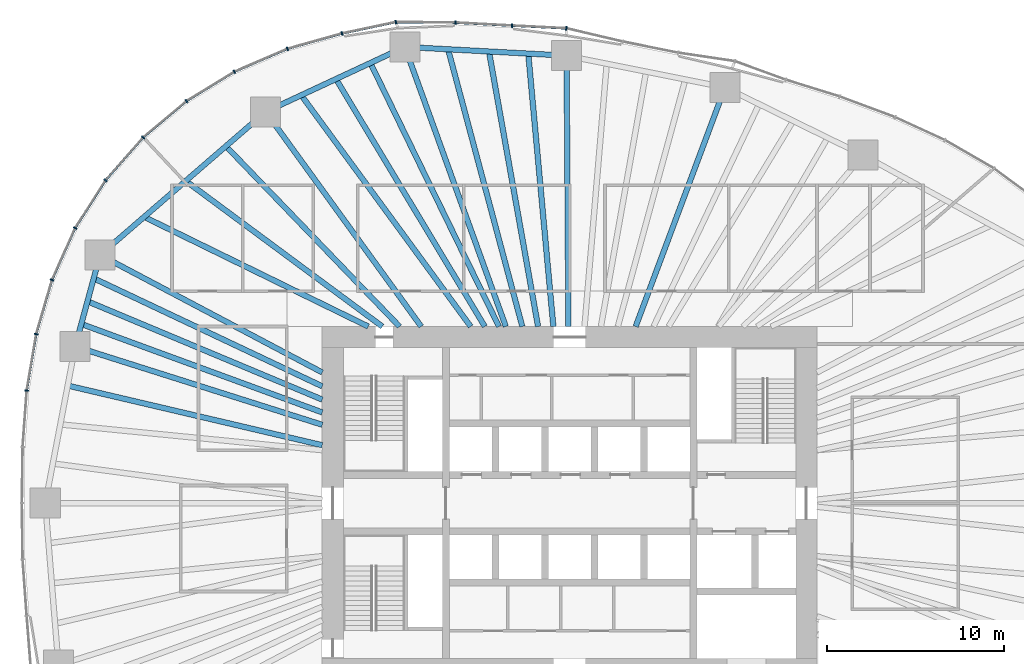
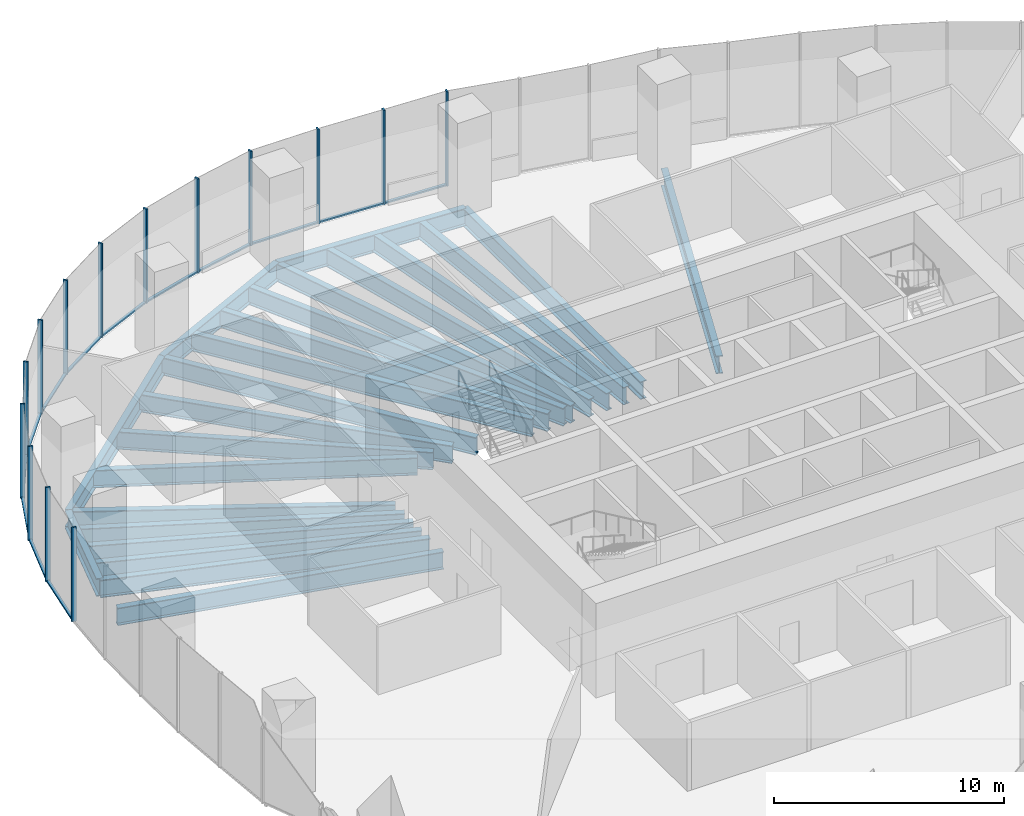
# One storey, part 5 of 19: 27 members, 23 beams, 5 elements without a shape of their own.
"""IFC4 building model written with IfcOpenShell, lengths in metres."""

from ifc_helpers import new_model, si_unit, direction, frame, origin, origin_2d, place, context, subcontext, project, spatial, rectangle, i_section, extrude, material, material_profile, profile_set, type_object, element, aggregate, save


model = new_model("IFC4")

# Units and contexts
model_context = context("Model", 3, precision=1e-05, world=origin(), true_north=direction((0.0, 1.0)))
body_context = subcontext(model_context, "Body", "Model", "MODEL_VIEW")
ifc_project = project(units=[si_unit("LENGTHUNIT", "METRE"), si_unit("AREAUNIT", "SQUARE_METRE"), si_unit("VOLUMEUNIT", "CUBIC_METRE"), si_unit("PLANEANGLEUNIT", "RADIAN"), si_unit("MASSUNIT", "GRAM", prefix="KILO")], contexts=[model_context])

# Site, building, storey
site_placement = place(None, origin())
site = spatial("IfcSite", under=ifc_project, at=site_placement, CompositionType="ELEMENT")
building_placement = place(site_placement, origin())
building = spatial("IfcBuilding", under=site, at=building_placement, Name="Ghaith Harvest Tower", CompositionType="ELEMENT")
storey_placement = place(building_placement, frame((0.0, 0.0, 75.0)))
storey = spatial("IfcBuildingStorey", under=building, at=storey_placement, Name="L15", CompositionType="ELEMENT", Elevation=75.0)

# Curtain wall, members
ifc_material_1 = material(Name="Black anodised aluminium and fritted glass", Category="aluminium")
curtain_wall_type = type_object("IfcCurtainWallType", Name="CW-F CURTAIN WALL", PredefinedType="NOTDEFINED", material=ifc_material_1)
curtain_wall_1_placement = place(storey_placement, origin())
curtain_wall_1 = element("IfcCurtainWall", 1, at=curtain_wall_1_placement, inside=storey, type_object=curtain_wall_type, Name="Curtain wall CW-F bay 06 L15", PredefinedType="NOTDEFINED")
ifc_material_2 = material(Name="Aluminium, black anodised", Category="aluminium")
ifc_material_profile_1 = material_profile(ifc_material_2, rectangle(XDim=0.080078125, YDim=0.219970703125, at=origin_2d()), Name="CW-F MULLION 80x220")
ifc_profile_set_1 = profile_set([ifc_material_profile_1], Name="Aluminium, black anodised")
member_type_1 = type_object("IfcMemberType", Name="CW-F MULLION 80x220", PredefinedType="MULLION", material=ifc_profile_set_1)
member_1_placement = place(storey_placement, frame((-0.183837890625, 26.877197265625, 0.0), z_axis=(0.0, 0.0, 1.0), x_axis=(-0.98971187143, 0.143074845976, 0.0)))
member_1 = element("IfcMember", 2, at=member_1_placement, type_object=member_type_1, Name="CW-F mullion 1 bay 06 L15", PredefinedType="MULLION", context=body_context, shape_type="SweptSolid", body=[
    extrude(rectangle(XDim=0.080078125, YDim=0.219970703125, at=origin_2d()), origin(), (0.0, 0.0, 1.0), 5.0),
])
member_2_placement = place(storey_placement, frame((-3.261962890625, 27.02978515625, 0.0), z_axis=(0.0, 0.0, 1.0), x_axis=(-0.998666923291, 0.051617597049, 0.0)))
member_2 = element("IfcMember", 3, at=member_2_placement, type_object=member_type_1, Name="CW-F mullion 2 bay 06 L15", PredefinedType="MULLION", context=body_context, shape_type="SweptSolid", body=[
    extrude(rectangle(XDim=0.080078125, YDim=0.219970703125, at=origin_2d()), origin(), (0.0, 0.0, 1.0), 5.0),
])
member_3_placement = place(storey_placement, frame((-6.465087890625, 27.20166015625, 0.0), z_axis=(0.0, 0.0, 1.0), x_axis=(-0.999527102163, 0.030750155138, 0.0)))
member_3 = element("IfcMember", 4, at=member_3_placement, type_object=member_type_1, Name="CW-F mullion 3 bay 06 L15", PredefinedType="MULLION", context=body_context, shape_type="SweptSolid", body=[
    extrude(rectangle(XDim=0.080078125, YDim=0.219970703125, at=origin_2d()), origin(), (0.0, 0.0, 1.0), 5.0),
])

curtain_wall_2_placement = place(storey_placement, origin())
curtain_wall_2 = element("IfcCurtainWall", 5, at=curtain_wall_2_placement, inside=storey, type_object=curtain_wall_type, Name="Curtain wall CW-F bay 07 L15", PredefinedType="NOTDEFINED")
member_4_placement = place(storey_placement, frame((-9.835693359375, 27.232177734375, 0.0), z_axis=(0.0, 0.0, 1.0), x_axis=(-0.995408459337, -0.095718332001, 0.0)))
member_4 = element("IfcMember", 6, at=member_4_placement, type_object=member_type_1, Name="CW-F mullion 1 bay 07 L15", PredefinedType="MULLION", context=body_context, shape_type="SweptSolid", body=[
    extrude(rectangle(XDim=0.080078125, YDim=0.219970703125, at=origin_2d()), origin(), (0.0, 0.0, 1.0), 5.0),
])
member_5_placement = place(storey_placement, frame((-12.880615234375, 26.5849609375, 0.0), z_axis=(0.0, 0.0, 1.0), x_axis=(-0.970824511782, -0.239791091, 0.0)))
member_5 = element("IfcMember", 7, at=member_5_placement, type_object=member_type_1, Name="CW-F mullion 2 bay 07 L15", PredefinedType="MULLION", context=body_context, shape_type="SweptSolid", body=[
    extrude(rectangle(XDim=0.080078125, YDim=0.219970703125, at=origin_2d()), origin(), (0.0, 0.0, 1.0), 5.0),
])
member_6_placement = place(storey_placement, frame((-15.97119140625, 25.716552734375, 0.0), z_axis=(0.0, 0.0, 1.0), x_axis=(-0.942293550527, -0.334787790451, 0.0)))
member_6 = element("IfcMember", 8, at=member_6_placement, type_object=member_type_1, Name="CW-F mullion 3 bay 07 L15", PredefinedType="MULLION", context=body_context, shape_type="SweptSolid", body=[
    extrude(rectangle(XDim=0.080078125, YDim=0.219970703125, at=origin_2d()), origin(), (0.0, 0.0, 1.0), 5.0),
])

curtain_wall_3_placement = place(storey_placement, origin())
curtain_wall_3 = element("IfcCurtainWall", 9, at=curtain_wall_3_placement, inside=storey, type_object=curtain_wall_type, Name="Curtain wall CW-F bay 08 L15", PredefinedType="NOTDEFINED")
member_7_placement = place(storey_placement, frame((-18.96728515625, 24.42236328125, 0.0), z_axis=(0.0, 0.0, 1.0), x_axis=(-0.887912253252, -0.460012859086, 0.0)))
member_7 = element("IfcMember", 10, at=member_7_placement, type_object=member_type_1, Name="CW-F mullion 1 bay 08 L15", PredefinedType="MULLION", context=body_context, shape_type="SweptSolid", body=[
    extrude(rectangle(XDim=0.080078125, YDim=0.219970703125, at=origin_2d()), origin(), (0.0, 0.0, 1.0), 5.0),
])
member_8_placement = place(storey_placement, frame((-21.681640625, 22.758056640625, 0.0), z_axis=(0.0, 0.0, 1.0), x_axis=(-0.811400750439, -0.584490224202, 0.0)))
member_8 = element("IfcMember", 11, at=member_8_placement, type_object=member_type_1, Name="CW-F mullion 2 bay 08 L15", PredefinedType="MULLION", context=body_context, shape_type="SweptSolid", body=[
    extrude(rectangle(XDim=0.080078125, YDim=0.219970703125, at=origin_2d()), origin(), (0.0, 0.0, 1.0), 5.0),
])
member_9_placement = place(storey_placement, frame((-24.139404296875, 20.696533203125, 0.0), z_axis=(0.0, 0.0, 1.0), x_axis=(-0.714663248213, -0.699468685256, 0.0)))
member_9 = element("IfcMember", 12, at=member_9_placement, type_object=member_type_1, Name="CW-F mullion 3 bay 08 L15", PredefinedType="MULLION", context=body_context, shape_type="SweptSolid", body=[
    extrude(rectangle(XDim=0.080078125, YDim=0.219970703125, at=origin_2d()), origin(), (0.0, 0.0, 1.0), 5.0),
])

curtain_wall_4_placement = place(storey_placement, origin())
curtain_wall_4 = element("IfcCurtainWall", 13, at=curtain_wall_4_placement, inside=storey, type_object=curtain_wall_type, Name="Curtain wall CW-F bay 09 L15", PredefinedType="NOTDEFINED")
member_10_placement = place(storey_placement, frame((-26.26318359375, 18.274169921875, 0.0), z_axis=(0.0, 0.0, 1.0), x_axis=(-0.599861600644, -0.800103780814, 0.0)))
member_10 = element("IfcMember", 14, at=member_10_placement, type_object=member_type_1, Name="CW-F mullion 1 bay 09 L15", PredefinedType="MULLION", context=body_context, shape_type="SweptSolid", body=[
    extrude(rectangle(XDim=0.080078125, YDim=0.219970703125, at=origin_2d()), origin(), (0.0, 0.0, 1.0), 5.0),
])
member_11_placement = place(storey_placement, frame((-27.986328125, 15.5654296875, 0.0), z_axis=(0.0, 0.0, 1.0), x_axis=(-0.473265082758, -0.880920065297, 0.0)))
member_11 = element("IfcMember", 15, at=member_11_placement, type_object=member_type_1, Name="CW-F mullion 2 bay 09 L15", PredefinedType="MULLION", context=body_context, shape_type="SweptSolid", body=[
    extrude(rectangle(XDim=0.080078125, YDim=0.219970703125, at=origin_2d()), origin(), (0.0, 0.0, 1.0), 5.0),
])
member_12_placement = place(storey_placement, frame((-29.29248046875, 12.63525390625, 0.0), z_axis=(0.0, 0.0, 1.0), x_axis=(-0.344618322502, -0.938742889079, 0.0)))
member_12 = element("IfcMember", 16, at=member_12_placement, type_object=member_type_1, Name="CW-F mullion 3 bay 09 L15", PredefinedType="MULLION", context=body_context, shape_type="SweptSolid", body=[
    extrude(rectangle(XDim=0.080078125, YDim=0.219970703125, at=origin_2d()), origin(), (0.0, 0.0, 1.0), 5.0),
])

curtain_wall_5_placement = place(storey_placement, origin())
curtain_wall_5 = element("IfcCurtainWall", 17, at=curtain_wall_5_placement, inside=storey, type_object=curtain_wall_type, Name="Curtain wall CW-F bay 10 L15", PredefinedType="NOTDEFINED")
member_13_placement = place(storey_placement, frame((-30.1884765625, 9.567138671875, 0.0), z_axis=(0.0, 0.0, 1.0), x_axis=(-0.222967363645, -0.97482590997, 0.0)))
member_13 = element("IfcMember", 18, at=member_13_placement, type_object=member_type_1, Name="CW-F mullion 1 bay 10 L15", PredefinedType="MULLION", context=body_context, shape_type="SweptSolid", body=[
    extrude(rectangle(XDim=0.080078125, YDim=0.219970703125, at=origin_2d()), origin(), (0.0, 0.0, 1.0), 5.0),
])
member_14_placement = place(storey_placement, frame((-30.724365234375, 6.37548828125, 0.0), z_axis=(0.0, 0.0, 1.0), x_axis=(-0.119352816132, -0.99285190501, 0.0)))
member_14 = element("IfcMember", 19, at=member_14_placement, type_object=member_type_1, Name="CW-F mullion 2 bay 10 L15", PredefinedType="MULLION", context=body_context, shape_type="SweptSolid", body=[
    extrude(rectangle(XDim=0.080078125, YDim=0.219970703125, at=origin_2d()), origin(), (0.0, 0.0, 1.0), 5.0),
])

# Member
ifc_material_3 = material(Name="Aluminium, black anodised", Category="aluminium")
ifc_material_profile_2 = material_profile(ifc_material_3, rectangle(XDim=0.139892578125, YDim=0.080078125, at=origin_2d()), Name="CW-F TRANSOM 140x80")
ifc_profile_set_2 = profile_set([ifc_material_profile_2], Name="Aluminium, black anodised")
member_type_2 = type_object("IfcMemberType", Name="CW-F TRANSOM 140x80", PredefinedType="USERDEFINED", material=ifc_profile_set_2)
member_15_placement = place(storey_placement, frame((-0.223876953125, 26.879150390625, 0.0400390625), z_axis=(-0.998772539109, 0.049531960612, 0.0), x_axis=(-0.049531960612, -0.998772539109, 0.0)))
member_15 = element("IfcMember", 20, at=member_15_placement, type_object=member_type_2, Name="CW-F transom 1 bay 06 L15", ObjectType="TRANSOM", PredefinedType="USERDEFINED", context=body_context, shape_type="SweptSolid", body=[
    extrude(rectangle(XDim=0.139892578125, YDim=0.080078125, at=origin_2d()), origin(), (0.0, 0.0, 1.0), 3.001708984375),
])

member_16_placement = place(storey_placement, frame((-3.3017578125, 27.031982421875, 0.0400390625), z_axis=(-0.99856142387, 0.053619798202, 0.0), x_axis=(-0.053619798202, -0.99856142387, 0.0)))
member_16 = element("IfcMember", 21, at=member_16_placement, type_object=member_type_2, Name="CW-F transom 2 bay 06 L15", ObjectType="TRANSOM", PredefinedType="USERDEFINED", context=body_context, shape_type="SweptSolid", body=[
    extrude(rectangle(XDim=0.139892578125, YDim=0.080078125, at=origin_2d()), origin(), (0.0, 0.0, 1.0), 3.1279296875),
])

member_17_placement = place(storey_placement, frame((-6.505126953125, 27.2021484375, 0.0400390625), z_axis=(-0.999959703847, 0.008977231352, 0.0), x_axis=(-0.008977231352, -0.999959703847, 0.0)))
member_17 = element("IfcMember", 22, at=member_17_placement, type_object=member_type_2, Name="CW-F transom 3 bay 06 L15", ObjectType="TRANSOM", PredefinedType="USERDEFINED", context=body_context, shape_type="SweptSolid", body=[
    extrude(rectangle(XDim=0.139892578125, YDim=0.080078125, at=origin_2d()), origin(), (0.0, 0.0, 1.0), 3.290771484375),
])

aggregate(curtain_wall_1, [member_1, member_15, member_2, member_16, member_3, member_17])

member_18_placement = place(storey_placement, frame((-9.874755859375, 27.2236328125, 0.0400390625), z_axis=(-0.978160283029, -0.207852016359, 0.0), x_axis=(0.207852016359, -0.978160283029, 0.0)))
member_18 = element("IfcMember", 23, at=member_18_placement, type_object=member_type_2, Name="CW-F transom 1 bay 07 L15", ObjectType="TRANSOM", PredefinedType="USERDEFINED", context=body_context, shape_type="SweptSolid", body=[
    extrude(rectangle(XDim=0.139892578125, YDim=0.080078125, at=origin_2d()), origin(), (0.0, 0.0, 1.0), 3.03271484375),
])

member_19_placement = place(storey_placement, frame((-12.9189453125, 26.573974609375, 0.0400390625), z_axis=(-0.962727128991, -0.270474536888, 0.0), x_axis=(0.270474536888, -0.962727128991, 0.0)))
member_19 = element("IfcMember", 24, at=member_19_placement, type_object=member_type_2, Name="CW-F transom 2 bay 07 L15", ObjectType="TRANSOM", PredefinedType="USERDEFINED", context=body_context, shape_type="SweptSolid", body=[
    extrude(rectangle(XDim=0.139892578125, YDim=0.080078125, at=origin_2d()), origin(), (0.0, 0.0, 1.0), 3.13037109375),
])

member_20_placement = place(storey_placement, frame((-16.008056640625, 25.70068359375, 0.0400390625), z_axis=(-0.9180027124, -0.396574104079, 0.0), x_axis=(0.396574104079, -0.9180027124, 0.0)))
member_20 = element("IfcMember", 25, at=member_20_placement, type_object=member_type_2, Name="CW-F transom 3 bay 07 L15", ObjectType="TRANSOM", PredefinedType="USERDEFINED", context=body_context, shape_type="SweptSolid", body=[
    extrude(rectangle(XDim=0.139892578125, YDim=0.080078125, at=origin_2d()), origin(), (0.0, 0.0, 1.0), 3.183349609375),
])

aggregate(curtain_wall_2, [member_4, member_18, member_5, member_19, member_6, member_20])

member_21_placement = place(storey_placement, frame((-19.001220703125, 24.4013671875, 0.0400390625), z_axis=(-0.852561687195, -0.522626606219, 0.0), x_axis=(0.522626606219, -0.852561687195, 0.0)))
member_21 = element("IfcMember", 26, at=member_21_placement, type_object=member_type_2, Name="CW-F transom 1 bay 08 L15", ObjectType="TRANSOM", PredefinedType="USERDEFINED", context=body_context, shape_type="SweptSolid", body=[
    extrude(rectangle(XDim=0.139892578125, YDim=0.080078125, at=origin_2d()), origin(), (0.0, 0.0, 1.0), 3.104248046875),
])

member_22_placement = place(storey_placement, frame((-21.71240234375, 22.732421875, 0.0400390625), z_axis=(-0.766144434184, -0.642668426149, 0.0), x_axis=(0.642668426149, -0.766144434184, 0.0)))
member_22 = element("IfcMember", 27, at=member_22_placement, type_object=member_type_2, Name="CW-F transom 2 bay 08 L15", ObjectType="TRANSOM", PredefinedType="USERDEFINED", context=body_context, shape_type="SweptSolid", body=[
    extrude(rectangle(XDim=0.139892578125, YDim=0.080078125, at=origin_2d()), origin(), (0.0, 0.0, 1.0), 3.1279296875),
])

member_23_placement = place(storey_placement, frame((-24.165771484375, 20.66650390625, 0.0400390625), z_axis=(-0.65923052982, -0.751940894322, 0.0), x_axis=(0.751940894322, -0.65923052982, 0.0)))
member_23 = element("IfcMember", 28, at=member_23_placement, type_object=member_type_2, Name="CW-F transom 3 bay 08 L15", ObjectType="TRANSOM", PredefinedType="USERDEFINED", context=body_context, shape_type="SweptSolid", body=[
    extrude(rectangle(XDim=0.139892578125, YDim=0.080078125, at=origin_2d()), origin(), (0.0, 0.0, 1.0), 3.1416015625),
])

aggregate(curtain_wall_3, [member_7, member_21, member_8, member_22, member_9, member_23])

member_24_placement = place(storey_placement, frame((-26.28466796875, 18.240234375, 0.0400390625), z_axis=(-0.536754366643, -0.843738555412, 0.0), x_axis=(0.843738555412, -0.536754366643, 0.0)))
member_24 = element("IfcMember", 29, at=member_24_placement, type_object=member_type_2, Name="CW-F transom 1 bay 09 L15", ObjectType="TRANSOM", PredefinedType="USERDEFINED", context=body_context, shape_type="SweptSolid", body=[
    extrude(rectangle(XDim=0.139892578125, YDim=0.080078125, at=origin_2d()), origin(), (0.0, 0.0, 1.0), 3.13037109375),
])

member_25_placement = place(storey_placement, frame((-28.002685546875, 15.52880859375, 0.0400390625), z_axis=(-0.407123143204, -0.913373278714, 0.0), x_axis=(0.913373278714, -0.407123143204, 0.0)))
member_25 = element("IfcMember", 30, at=member_25_placement, type_object=member_type_2, Name="CW-F transom 2 bay 09 L15", ObjectType="TRANSOM", PredefinedType="USERDEFINED", context=body_context, shape_type="SweptSolid", body=[
    extrude(rectangle(XDim=0.139892578125, YDim=0.080078125, at=origin_2d()), origin(), (0.0, 0.0, 1.0), 3.1279296875),
])

member_26_placement = place(storey_placement, frame((-29.3037109375, 12.596923828125, 0.0400390625), z_axis=(-0.280324903873, -0.959905176707, 0.0), x_axis=(0.959905176707, -0.280324903873, 0.0)))
member_26 = element("IfcMember", 31, at=member_26_placement, type_object=member_type_2, Name="CW-F transom 3 bay 09 L15", ObjectType="TRANSOM", PredefinedType="USERDEFINED", context=body_context, shape_type="SweptSolid", body=[
    extrude(rectangle(XDim=0.139892578125, YDim=0.080078125, at=origin_2d()), origin(), (0.0, 0.0, 1.0), 3.1162109375),
])

aggregate(curtain_wall_4, [member_10, member_24, member_11, member_25, member_12, member_26])

member_27_placement = place(storey_placement, frame((-30.195068359375, 9.52783203125, 0.0400390625), z_axis=(-0.165527763099, -0.986205130611, 0.0), x_axis=(0.986205130611, -0.165527763099, 0.0)))
member_27 = element("IfcMember", 32, at=member_27_placement, type_object=member_type_2, Name="CW-F transom 1 bay 10 L15", ObjectType="TRANSOM", PredefinedType="USERDEFINED", context=body_context, shape_type="SweptSolid", body=[
    extrude(rectangle(XDim=0.139892578125, YDim=0.080078125, at=origin_2d()), origin(), (0.0, 0.0, 1.0), 3.15625),
])

aggregate(curtain_wall_5, [member_13, member_27, member_14])

# Beams
ifc_material_4 = material(Name="Steel ASTM A992 Grade 50", Category="steel")
ifc_material_profile_3 = material_profile(ifc_material_4, i_section(OverallWidth=0.306884765625, OverallDepth=0.94189453125, WebThickness=0.022216796875, FlangeThickness=0.039794921875, at=origin_2d()), Name="W920X345")
ifc_profile_set_3 = profile_set([ifc_material_profile_3], Name="Steel ASTM A992 Grade 50")
beam_type_1 = type_object("IfcBeamType", Name="E920-345 W920X345", PredefinedType="SPANDREL", material=ifc_profile_set_3)
beam_1_placement = place(storey_placement, frame((-0.173095703125, 25.326904296875, -0.6708984375), z_axis=(-0.998545840532, 0.053909223293, 0.0), x_axis=(-0.053909223293, -0.998545840532, 0.0)))
element("IfcBeam", 33, at=beam_1_placement, inside=storey, type_object=beam_type_1, Name="Edge beam E06 L15", PredefinedType="SPANDREL", context=body_context, shape_type="SweptSolid", body=[
    extrude(i_section(OverallWidth=0.306884765625, OverallDepth=0.94189453125, WebThickness=0.022216796875, FlangeThickness=0.039794921875, at=origin_2d()), origin(), (0.0, 0.0, 1.0), 9.166259765625),
])
beam_2_placement = place(storey_placement, frame((-9.325927734375, 25.821044921875, -0.6708984375), z_axis=(-0.906373259523, -0.422477827137, 0.0), x_axis=(0.422477827137, -0.906373259523, 0.0)))
element("IfcBeam", 34, at=beam_2_placement, inside=storey, type_object=beam_type_1, Name="Edge beam E07 L15", PredefinedType="SPANDREL", context=body_context, shape_type="SweptSolid", body=[
    extrude(i_section(OverallWidth=0.306884765625, OverallDepth=0.94189453125, WebThickness=0.022216796875, FlangeThickness=0.039794921875, at=origin_2d()), origin(), (0.0, 0.0, 1.0), 8.689453125),
])
beam_3_placement = place(storey_placement, frame((-17.201904296875, 22.14990234375, -0.6708984375), z_axis=(-0.756392158274, -0.654118416574, 0.0), x_axis=(0.654118416574, -0.756392158274, 0.0)))
element("IfcBeam", 35, at=beam_3_placement, inside=storey, type_object=beam_type_1, Name="Edge beam E08 L15", PredefinedType="SPANDREL", context=body_context, shape_type="SweptSolid", body=[
    extrude(i_section(OverallWidth=0.306884765625, OverallDepth=0.94189453125, WebThickness=0.022216796875, FlangeThickness=0.039794921875, at=origin_2d()), origin(), (0.0, 0.0, 1.0), 12.38916015625),
])
beam_4_placement = place(storey_placement, frame((-26.572998046875, 14.0458984375, -0.6708984375), z_axis=(-0.262724740433, -0.964870825947, 0.0), x_axis=(0.964870825947, -0.262724740433, 0.0)))
element("IfcBeam", 36, at=beam_4_placement, inside=storey, type_object=beam_type_1, Name="Edge beam E09 L15", PredefinedType="SPANDREL", context=body_context, shape_type="SweptSolid", body=[
    extrude(i_section(OverallWidth=0.306884765625, OverallDepth=0.94189453125, WebThickness=0.022216796875, FlangeThickness=0.039794921875, at=origin_2d()), origin(), (0.0, 0.0, 1.0), 5.366455078125),
])
ifc_material_5 = material(Name="Steel ASTM A992 Grade 50", Category="steel")
ifc_material_profile_4 = material_profile(ifc_material_5, i_section(OverallWidth=0.306884765625, OverallDepth=0.94189453125, WebThickness=0.022216796875, FlangeThickness=0.039794921875, at=origin_2d()), Name="W920X345")
ifc_profile_set_4 = profile_set([ifc_material_profile_4], Name="Steel ASTM A992 Grade 50")
beam_type_2 = type_object("IfcBeamType", Name="G920-345 W920X345", PredefinedType="BEAM", material=ifc_profile_set_4)
beam_5_placement = place(storey_placement, frame((3.73828125, 10.0, -0.6708984375), z_axis=(0.350150596156, 0.936693418367, 0.0), x_axis=(-0.936693418367, 0.350150596156, 0.0)))
element("IfcBeam", 37, at=beam_5_placement, inside=storey, type_object=beam_type_2, Name="Radial girder G05 L15", PredefinedType="BEAM", context=body_context, shape_type="SweptSolid", body=[
    extrude(i_section(OverallWidth=0.306884765625, OverallDepth=0.94189453125, WebThickness=0.022216796875, FlangeThickness=0.039794921875, at=origin_2d()), origin(), (0.0, 0.0, 1.0), 14.44140625),
])
beam_6_placement = place(storey_placement, frame((-0.068359375, 10.0, -0.6708984375), z_axis=(-0.006833335732, 0.999976652489, 0.0), x_axis=(-0.999976652489, -0.006833335732, 0.0)))
element("IfcBeam", 38, at=beam_6_placement, inside=storey, type_object=beam_type_2, Name="Radial girder G06 L15", PredefinedType="BEAM", context=body_context, shape_type="SweptSolid", body=[
    extrude(i_section(OverallWidth=0.306884765625, OverallDepth=0.94189453125, WebThickness=0.022216796875, FlangeThickness=0.039794921875, at=origin_2d()), origin(), (0.0, 0.0, 1.0), 15.3271484375),
])
beam_7_placement = place(storey_placement, frame((-3.61181640625, 10.0, -0.6708984375), z_axis=(-0.339694751271, 0.940535738799, 0.0), x_axis=(-0.940535738799, -0.339694751271, 0.0)))
element("IfcBeam", 39, at=beam_7_placement, inside=storey, type_object=beam_type_2, Name="Radial girder G07 L15", PredefinedType="BEAM", context=body_context, shape_type="SweptSolid", body=[
    extrude(i_section(OverallWidth=0.306884765625, OverallDepth=0.94189453125, WebThickness=0.022216796875, FlangeThickness=0.039794921875, at=origin_2d()), origin(), (0.0, 0.0, 1.0), 16.8212890625),
])
beam_8_placement = place(storey_placement, frame((-8.39990234375, 10.0, -0.6708984375), z_axis=(-0.586675813287, 0.809821887889, 0.0), x_axis=(-0.809821887889, -0.586675813287, 0.0)))
element("IfcBeam", 40, at=beam_8_placement, inside=storey, type_object=beam_type_2, Name="Radial girder G08 L15", PredefinedType="BEAM", context=body_context, shape_type="SweptSolid", body=[
    extrude(i_section(OverallWidth=0.306884765625, OverallDepth=0.94189453125, WebThickness=0.022216796875, FlangeThickness=0.039794921875, at=origin_2d()), origin(), (0.0, 0.0, 1.0), 15.003173828125),
])
beam_9_placement = place(storey_placement, frame((-14.0, 7.39990234375, -0.6708984375), z_axis=(-0.88408713845, 0.467322085533, 0.0), x_axis=(-0.467322085533, -0.88408713845, 0.0)))
element("IfcBeam", 41, at=beam_9_placement, inside=storey, type_object=beam_type_2, Name="Radial girder G09 L15", PredefinedType="BEAM", context=body_context, shape_type="SweptSolid", body=[
    extrude(i_section(OverallWidth=0.306884765625, OverallDepth=0.94189453125, WebThickness=0.022216796875, FlangeThickness=0.039794921875, at=origin_2d()), origin(), (0.0, 0.0, 1.0), 14.221435546875),
])
beam_10_placement = place(storey_placement, frame((-14.0, 4.43701171875, -0.6708984375), z_axis=(-0.953283605796, 0.302076756671, 0.0), x_axis=(-0.302076756671, -0.953283605796, 0.0)))
element("IfcBeam", 42, at=beam_10_placement, inside=storey, type_object=beam_type_2, Name="Radial girder G10 L15", PredefinedType="BEAM", context=body_context, shape_type="SweptSolid", body=[
    extrude(i_section(OverallWidth=0.306884765625, OverallDepth=0.94189453125, WebThickness=0.022216796875, FlangeThickness=0.039794921875, at=origin_2d()), origin(), (0.0, 0.0, 1.0), 14.668212890625),
])
ifc_material_6 = material(Name="Steel ASTM A992 Grade 50", Category="steel")
ifc_material_profile_5 = material_profile(ifc_material_6, i_section(OverallWidth=0.31005859375, OverallDepth=0.927001953125, WebThickness=0.019287109375, FlangeThickness=0.031982421875, at=origin_2d()), Name="W920X289")
ifc_profile_set_5 = profile_set([ifc_material_profile_5], Name="Steel ASTM A992 Grade 50")
beam_type_3 = type_object("IfcBeamType", Name="J920-289 W920X289", PredefinedType="JOIST", material=ifc_profile_set_5)
beam_11_placement = place(storey_placement, frame((-0.92041015625, 10.0, -0.66357421875), z_axis=(-0.091647013776, 0.995791556936, 0.0), x_axis=(-0.995791556936, -0.091647013776, 0.0)))
element("IfcBeam", 43, at=beam_11_placement, inside=storey, type_object=beam_type_3, Name="Joist J06.1 L15", PredefinedType="JOIST", context=body_context, shape_type="SweptSolid", body=[
    extrude(i_section(OverallWidth=0.31005859375, OverallDepth=0.927001953125, WebThickness=0.019287109375, FlangeThickness=0.031982421875, at=origin_2d()), origin(), (0.0, 0.0, 1.0), 15.50927734375),
])
beam_12_placement = place(storey_placement, frame((-1.785888671875, 10.0, -0.66357421875), z_axis=(-0.175789035136, 0.984427861819, 0.0), x_axis=(-0.984427861819, -0.175789035136, 0.0)))
element("IfcBeam", 44, at=beam_12_placement, inside=storey, type_object=beam_type_3, Name="Joist J06.2 L15", PredefinedType="JOIST", context=body_context, shape_type="SweptSolid", body=[
    extrude(i_section(OverallWidth=0.31005859375, OverallDepth=0.927001953125, WebThickness=0.019287109375, FlangeThickness=0.031982421875, at=origin_2d()), origin(), (0.0, 0.0, 1.0), 15.810302734375),
])
beam_13_placement = place(storey_placement, frame((-10.60009765625, 10.0, -0.66357421875), z_axis=(-0.803663089107, 0.595084564752, 0.0), x_axis=(-0.595084564752, -0.803663089107, 0.0)))
element("IfcBeam", 45, at=beam_13_placement, inside=storey, type_object=beam_type_3, Name="Joist J08.2 L15", PredefinedType="JOIST", context=body_context, shape_type="SweptSolid", body=[
    extrude(i_section(OverallWidth=0.31005859375, OverallDepth=0.927001953125, WebThickness=0.019287109375, FlangeThickness=0.031982421875, at=origin_2d()), origin(), (0.0, 0.0, 1.0), 13.843505859375),
])
beam_14_placement = place(storey_placement, frame((-11.39990234375, 10.0, -0.66357421875), z_axis=(-0.898274832354, 0.439434096946, 0.0), x_axis=(-0.439434096946, -0.898274832354, 0.0)))
element("IfcBeam", 46, at=beam_14_placement, inside=storey, type_object=beam_type_3, Name="Joist J08.3 L15", PredefinedType="JOIST", context=body_context, shape_type="SweptSolid", body=[
    extrude(i_section(OverallWidth=0.31005859375, OverallDepth=0.927001953125, WebThickness=0.019287109375, FlangeThickness=0.031982421875, at=origin_2d()), origin(), (0.0, 0.0, 1.0), 14.114990234375),
])
beam_15_placement = place(storey_placement, frame((-14.0, 6.614990234375, -0.66357421875), z_axis=(-0.904153428261, 0.427207886354, 0.0), x_axis=(-0.427207886354, -0.904153428261, 0.0)))
element("IfcBeam", 47, at=beam_15_placement, inside=storey, type_object=beam_type_3, Name="Joist J09.1 L15", PredefinedType="JOIST", context=body_context, shape_type="SweptSolid", body=[
    extrude(i_section(OverallWidth=0.31005859375, OverallDepth=0.927001953125, WebThickness=0.019287109375, FlangeThickness=0.031982421875, at=origin_2d()), origin(), (0.0, 0.0, 1.0), 14.303466796875),
])
beam_16_placement = place(storey_placement, frame((-14.0, 5.862548828125, -0.66357421875), z_axis=(-0.922385943167, 0.38626955853, 0.0), x_axis=(-0.38626955853, -0.922385943167, 0.0)))
element("IfcBeam", 48, at=beam_16_placement, inside=storey, type_object=beam_type_3, Name="Joist J09.2 L15", PredefinedType="JOIST", context=body_context, shape_type="SweptSolid", body=[
    extrude(i_section(OverallWidth=0.31005859375, OverallDepth=0.927001953125, WebThickness=0.019287109375, FlangeThickness=0.031982421875, at=origin_2d()), origin(), (0.0, 0.0, 1.0), 14.404296875),
])
beam_17_placement = place(storey_placement, frame((-14.0, 5.137939453125, -0.66357421875), z_axis=(-0.93877541132, 0.344529718748, 0.0), x_axis=(-0.344529718748, -0.93877541132, 0.0)))
element("IfcBeam", 49, at=beam_17_placement, inside=storey, type_object=beam_type_3, Name="Joist J09.3 L15", PredefinedType="JOIST", context=body_context, shape_type="SweptSolid", body=[
    extrude(i_section(OverallWidth=0.31005859375, OverallDepth=0.927001953125, WebThickness=0.019287109375, FlangeThickness=0.031982421875, at=origin_2d()), origin(), (0.0, 0.0, 1.0), 14.525390625),
])
beam_18_placement = place(storey_placement, frame((-14.0, 3.280517578125, -0.66357421875), z_axis=(-0.973623012228, 0.228162727151, 0.0), x_axis=(-0.228162727151, -0.973623012228, 0.0)))
element("IfcBeam", 50, at=beam_18_placement, inside=storey, type_object=beam_type_3, Name="Joist J10.1 L15", PredefinedType="JOIST", context=body_context, shape_type="SweptSolid", body=[
    extrude(i_section(OverallWidth=0.31005859375, OverallDepth=0.927001953125, WebThickness=0.019287109375, FlangeThickness=0.031982421875, at=origin_2d()), origin(), (0.0, 0.0, 1.0), 14.795166015625),
])
ifc_material_7 = material(Name="Steel ASTM A992 Grade 50", Category="steel")
ifc_material_profile_6 = material_profile(ifc_material_7, i_section(OverallWidth=0.306884765625, OverallDepth=0.94189453125, WebThickness=0.022216796875, FlangeThickness=0.039794921875, at=origin_2d()), Name="W920X345")
ifc_profile_set_6 = profile_set([ifc_material_profile_6], Name="Steel ASTM A992 Grade 50")
beam_type_4 = type_object("IfcBeamType", Name="J920-345 W920X345", PredefinedType="JOIST", material=ifc_profile_set_6)
beam_19_placement = place(storey_placement, frame((-2.677978515625, 10.0, -0.6708984375), z_axis=(-0.258679482451, 0.965963211183, 0.0), x_axis=(-0.965963211183, -0.258679482451, 0.0)))
element("IfcBeam", 51, at=beam_19_placement, inside=storey, type_object=beam_type_4, Name="Joist J06.3 L15", PredefinedType="JOIST", context=body_context, shape_type="SweptSolid", body=[
    extrude(i_section(OverallWidth=0.306884765625, OverallDepth=0.94189453125, WebThickness=0.022216796875, FlangeThickness=0.039794921875, at=origin_2d()), origin(), (0.0, 0.0, 1.0), 16.24169921875),
])
beam_20_placement = place(storey_placement, frame((-4.0, 10.0, -0.6708984375), z_axis=(-0.438505380705, 0.898728563635, 0.0), x_axis=(-0.898728563635, -0.438505380705, 0.0)))
element("IfcBeam", 52, at=beam_20_placement, inside=storey, type_object=beam_type_4, Name="Joist J07.1 L15", PredefinedType="JOIST", context=body_context, shape_type="SweptSolid", body=[
    extrude(i_section(OverallWidth=0.306884765625, OverallDepth=0.94189453125, WebThickness=0.022216796875, FlangeThickness=0.039794921875, at=origin_2d()), origin(), (0.0, 0.0, 1.0), 16.592529296875),
])
beam_21_placement = place(storey_placement, frame((-4.800048828125, 10.0, -0.6708984375), z_axis=(-0.515358894704, 0.85697445099, 0.0), x_axis=(-0.85697445099, -0.515358894704, 0.0)))
element("IfcBeam", 53, at=beam_21_placement, inside=storey, type_object=beam_type_4, Name="Joist J07.2 L15", PredefinedType="JOIST", context=body_context, shape_type="SweptSolid", body=[
    extrude(i_section(OverallWidth=0.306884765625, OverallDepth=0.94189453125, WebThickness=0.022216796875, FlangeThickness=0.039794921875, at=origin_2d()), origin(), (0.0, 0.0, 1.0), 16.34228515625),
])
beam_22_placement = place(storey_placement, frame((-5.60009765625, 10.0, -0.6708984375), z_axis=(-0.591008736068, 0.806665155992, 0.0), x_axis=(-0.806665155992, -0.591008736068, 0.0)))
element("IfcBeam", 54, at=beam_22_placement, inside=storey, type_object=beam_type_4, Name="Joist J07.3 L15", PredefinedType="JOIST", context=body_context, shape_type="SweptSolid", body=[
    extrude(i_section(OverallWidth=0.306884765625, OverallDepth=0.94189453125, WebThickness=0.022216796875, FlangeThickness=0.039794921875, at=origin_2d()), origin(), (0.0, 0.0, 1.0), 16.22509765625),
])
beam_23_placement = place(storey_placement, frame((-9.626708984375, 10.0, -0.6708984375), z_axis=(-0.693535693616, 0.720422266231, 0.0), x_axis=(-0.720422266231, -0.693535693616, 0.0)))
element("IfcBeam", 55, at=beam_23_placement, inside=storey, type_object=beam_type_4, Name="Joist J08.1 L15", PredefinedType="JOIST", context=body_context, shape_type="SweptSolid", body=[
    extrude(i_section(OverallWidth=0.306884765625, OverallDepth=0.94189453125, WebThickness=0.022216796875, FlangeThickness=0.039794921875, at=origin_2d()), origin(), (0.0, 0.0, 1.0), 14.16552734375),
])

save(model, "model.ifc")
